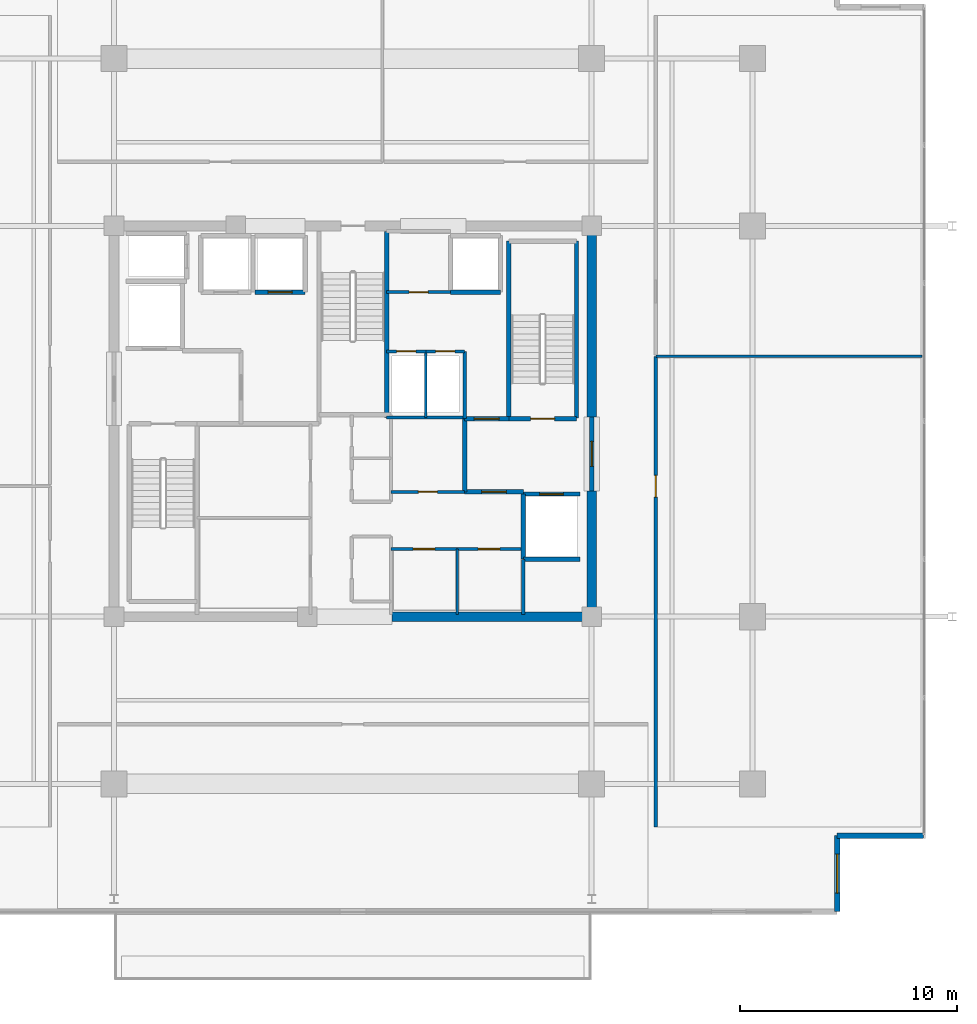
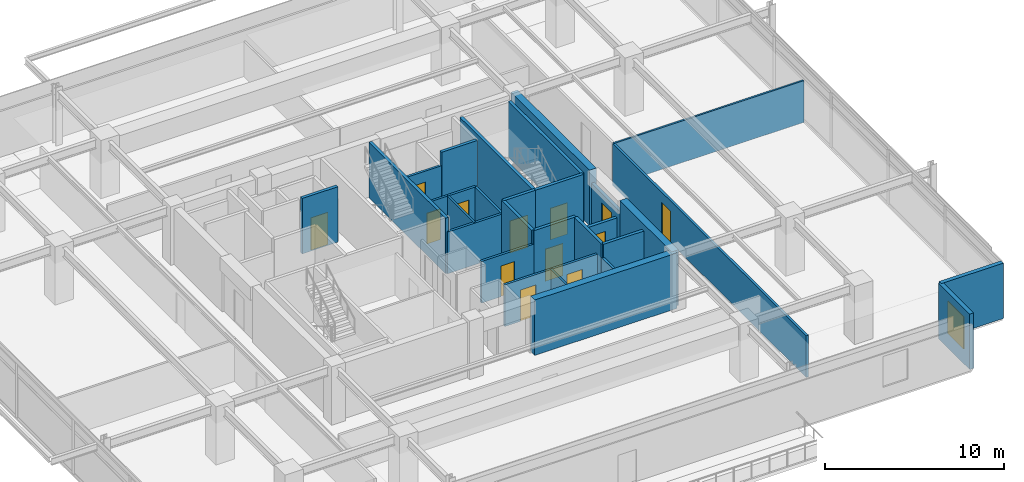
# One storey, part 16 of 23: 31 walls, 13 doors, 1 window, 14 openings.
"""IFC4 building model written with IfcOpenShell, lengths in metres."""

import ifcopenshell
import ifcopenshell.guid

model = None  # the IFC model being written
_history = None  # IfcOwnerHistory: only IFC2X3 demands one
_inside = {}  # id of a spatial element -> (the spatial element, [elements in it])
_under = {}  # id of a project, library or spatial element -> (it, [spatial elements below it])
_declared = {}  # id of a project -> (the project, [libraries it declares])
_typed = {}  # id of a type object -> (the type object, [elements of that type])
_made_of = {}  # id of a material, layer set ... -> (it, [elements and type objects made of it])


def new_model(schema):
    """Start an empty IFC model of exactly this schema.

    Asked for "IFC4X3", IfcOpenShell would pick the latest addendum, in which some entities
    have other attributes; the version numbers below select the first issue.
    IFC2X3 requires an IfcOwnerHistory on every rooted entity: one is made here for all.
    """
    global model, _history
    if schema == "IFC4X3":
        model = ifcopenshell.file(schema_version=(4, 3, 0, 0))
    else:
        model = ifcopenshell.file(schema=schema)
    _inside.clear()
    _under.clear()
    _declared.clear()
    _typed.clear()
    _made_of.clear()
    _history = None
    if model.schema == "IFC2X3":
        org = make("IfcOrganization", Name="unknown")
        user = make(
            "IfcPersonAndOrganization",
            ThePerson=make("IfcPerson", FamilyName="unknown"),
            TheOrganization=org,
        )
        app = make(
            "IfcApplication",
            ApplicationDeveloper=org,
            Version="unknown",
            ApplicationFullName="unknown",
            ApplicationIdentifier="unknown",
        )
        _history = make(
            "IfcOwnerHistory",
            OwningUser=user,
            OwningApplication=app,
            ChangeAction="ADDED",
            CreationDate=0,
        )
    return model


def make(cls, **values):
    """One entity of the class cls with the attributes given. An attribute that is None is left unset."""
    return model.create_entity(
        cls, **{name: value for name, value in values.items() if value is not None}
    )


def rooted(cls, **values):
    """An entity with a GlobalId (a new one), such as an element, a storey or a relation."""
    return make(cls, GlobalId=ifcopenshell.guid.new(), OwnerHistory=_history, **values)


def si_unit(unit_type, name, prefix=None):
    """IfcSIUnit, for example si_unit("LENGTHUNIT", "METRE", prefix="MILLI")."""
    return make("IfcSIUnit", UnitType=unit_type, Prefix=prefix, Name=name)


def assignment(units):
    """IfcUnitAssignment: the units of a project."""
    return None if units is None else make("IfcUnitAssignment", Units=units)


def point(xyz):
    """IfcCartesianPoint."""
    return None if xyz is None else make("IfcCartesianPoint", Coordinates=xyz)


def direction(xyz):
    """IfcDirection."""
    return None if xyz is None else make("IfcDirection", DirectionRatios=xyz)


def frame(location, z_axis=None, x_axis=None):
    """IfcAxis2Placement3D, a coordinate frame: its origin and axes. An axis left out is left unset."""
    return make(
        "IfcAxis2Placement3D",
        Location=point(location),
        Axis=direction(z_axis),
        RefDirection=direction(x_axis),
    )


def frame_2d(location, x_axis=None):
    """IfcAxis2Placement2D, a coordinate frame in the plane: its origin and x axis."""
    return make(
        "IfcAxis2Placement2D", Location=point(location), RefDirection=direction(x_axis)
    )


def origin():
    """The frame at (0, 0, 0) with its axes left unset."""
    return frame((0.0, 0.0, 0.0))


def place(relative_to, where):
    """IfcLocalPlacement: puts the frame where relative to a parent placement (None: the world)."""
    return make(
        "IfcLocalPlacement", PlacementRelTo=relative_to, RelativePlacement=where
    )


def context(
    kind, dimensions, precision=None, world=None, true_north=None, identifier=None
):
    """IfcGeometricRepresentationContext, for example the 3D "Model" context."""
    return make(
        "IfcGeometricRepresentationContext",
        ContextIdentifier=identifier,
        ContextType=kind,
        CoordinateSpaceDimension=dimensions,
        Precision=precision,
        WorldCoordinateSystem=world,
        TrueNorth=true_north,
    )


def subcontext(parent, identifier, kind, view, scale=None):
    """IfcGeometricRepresentationSubContext, for example "Body" below "Model"."""
    return make(
        "IfcGeometricRepresentationSubContext",
        ContextIdentifier=identifier,
        ContextType=kind,
        ParentContext=parent,
        TargetScale=scale,
        TargetView=view,
    )


def project(units=None, contexts=None):
    """IfcProject with its units and contexts."""
    return rooted(
        "IfcProject",
        Name="project",
        RepresentationContexts=contexts,
        UnitsInContext=assignment(units),
    )


def spatial(cls, under=None, at=None, **own):
    """A site, building, storey or space (cls), placed at a placement, below another one or the project."""
    s = rooted(cls, ObjectPlacement=at, **own)
    if under is not None:
        _under.setdefault(under.id(), (under, []))[1].append(s)
    return s


def profile(cls, at=None, kind="AREA", **sizes):
    """A parametric profile (cls). Its sizes go by their IFC names, for example OverallWidth=200.0."""
    return make(cls, ProfileType=kind, Position=at, **sizes)


def rectangle(**sizes):
    """IfcRectangleProfileDef."""
    return profile("IfcRectangleProfileDef", **sizes)


def extrude(swept, where, along, depth):
    """IfcExtrudedAreaSolid: the profile swept, set in the frame where, extruded along a direction by depth."""
    return make(
        "IfcExtrudedAreaSolid",
        SweptArea=swept,
        Position=where,
        ExtrudedDirection=direction(along),
        Depth=depth,
    )


def shape(context_of_items, identifier, shape_type, items):
    """IfcShapeRepresentation: the items that make up one representation, for example the "Body"."""
    return make(
        "IfcShapeRepresentation",
        ContextOfItems=context_of_items,
        RepresentationIdentifier=identifier,
        RepresentationType=shape_type,
        Items=items,
    )


def material(Name=None, Category=None):
    """IfcMaterial."""
    return make("IfcMaterial", Name=Name, Category=Category)


def layer(
    of_material, thickness, ventilated=None, Name=None, Category=None, Priority=None
):
    """IfcMaterialLayer: one layer of a wall or slab, of a material (None: an air gap)."""
    return make(
        "IfcMaterialLayer",
        Material=of_material,
        LayerThickness=thickness,
        IsVentilated=ventilated,
        Name=Name,
        Category=Category,
        Priority=Priority,
    )


def layer_set(layers, Name=None):
    """IfcMaterialLayerSet."""
    return make("IfcMaterialLayerSet", MaterialLayers=layers, LayerSetName=Name)


def made_of(thing, what):
    """Note that an element or type object is made of a material, layer set ...; save() writes the relation."""
    if what is not None:
        _made_of.setdefault(what.id(), (what, []))[1].append(thing)
    return thing


def type_object(cls, material=None, **own):
    """A type object (cls), such as IfcWallType, which elements share."""
    return made_of(rooted(cls, **own), material)


def element(
    cls,
    number,
    at=None,
    inside=None,
    cuts=None,
    type_object=None,
    material=None,
    context=None,
    identifier="Body",
    shape_type=None,
    held_by="IfcProductDefinitionShape",
    body=None,
    shapes=None,
    **own,
):
    """One element of the class cls, such as IfcWall. Its Tag is "e" and its number.

    at: its placement. inside: the storey or other place that contains it. cuts: it is an
    opening in that element (IfcRelVoidsElement). A single representation is given by context,
    identifier, shape_type and body (its items); several are given by shapes. held_by: the class
    of the entity that holds the representations. save() writes the other relations.
    """
    e = rooted(cls, Tag="e%d" % number, ObjectPlacement=at, **own)
    if body is not None:
        shapes = [shape(context, identifier, shape_type, body)]
    if shapes is not None:
        e.Representation = make(held_by, Representations=shapes)
    if inside is not None:
        _inside.setdefault(inside.id(), (inside, []))[1].append(e)
    if cuts is not None:
        rooted(
            "IfcRelVoidsElement", RelatingBuildingElement=cuts, RelatedOpeningElement=e
        )
    if type_object is not None:
        _typed.setdefault(type_object.id(), (type_object, []))[1].append(e)
    return made_of(e, material)


def fill(opening, filler):
    """IfcRelFillsElement: the door or window that sits in an opening."""
    return rooted(
        "IfcRelFillsElement",
        RelatingOpeningElement=opening,
        RelatedBuildingElement=filler,
    )


def aggregate(whole, parts):
    """IfcRelAggregates: a whole, such as a stair, and the parts it consists of."""
    return rooted("IfcRelAggregates", RelatingObject=whole, RelatedObjects=parts)


def save(model, path):
    """Write the relations noted so far, then the file.

    IfcRelAggregates (storeys below a building ...), IfcRelContainedInSpatialStructure (elements
    in a storey), IfcRelDefinesByType, IfcRelAssociatesMaterial and IfcRelDeclares: one each for
    every whole, place, type object, material and project.
    """
    for whole, parts in _under.values():
        aggregate(whole, parts)
    for where, things in _inside.values():
        rooted(
            "IfcRelContainedInSpatialStructure",
            RelatedElements=things,
            RelatingStructure=where,
        )
    for kind, things in _typed.values():
        rooted("IfcRelDefinesByType", RelatedObjects=things, RelatingType=kind)
    for what, things in _made_of.values():
        rooted("IfcRelAssociatesMaterial", RelatedObjects=things, RelatingMaterial=what)
    for by, libraries in _declared.values():
        rooted("IfcRelDeclares", RelatingContext=by, RelatedDefinitions=libraries)
    model.write(path)


model = new_model("IFC4")

# Units and contexts
model_context = context("Model", 3, precision=1e-05, world=origin(), true_north=direction((0.0, 1.0)))
body_context = subcontext(model_context, "Body", "Model", "MODEL_VIEW")
ifc_project = project(units=[si_unit("LENGTHUNIT", "METRE"), si_unit("AREAUNIT", "SQUARE_METRE"), si_unit("VOLUMEUNIT", "CUBIC_METRE"), si_unit("PLANEANGLEUNIT", "RADIAN"), si_unit("MASSUNIT", "GRAM", prefix="KILO")], contexts=[model_context])

# Site, building, storey
site_placement = place(None, origin())
site = spatial("IfcSite", under=ifc_project, at=site_placement, CompositionType="ELEMENT")
building_placement = place(site_placement, origin())
building = spatial("IfcBuilding", under=site, at=building_placement, Name="Kovane Verandah Tower", CompositionType="ELEMENT")
storey_placement = place(building_placement, frame((0.0, 0.0, 243.199951171875)))
storey = spatial("IfcBuildingStorey", under=building, at=storey_placement, Name="L56", CompositionType="ELEMENT", Elevation=243.199951171875)

# Walls
ifc_material_1 = material(Name="Fire-Rated Gypsum Stud Partition", Category="gypsum")
ifc_layer_1 = layer(ifc_material_1, 0.14990234375)
ifc_layer_set_1 = layer_set([ifc_layer_1], Name="Fire-Rated Gypsum Stud Partition")
wall_type_1 = type_object("IfcWallType", Name="WL-COR-150", PredefinedType="PARTITIONING", material=ifc_layer_set_1)
wall_1_placement = place(storey_placement, frame((41.56005859375, 27.679931640625, 0.0), z_axis=(0.0, 0.0, 1.0), x_axis=(1.0, 0.0, 0.0)))
element("IfcWall", 1, at=wall_1_placement, inside=storey, type_object=wall_type_1, Name="L56 East Core Service Riser South Wall", PredefinedType="PARTITIONING", context=body_context, shape_type="SweptSolid", body=[
    extrude(rectangle(XDim=3.58984375, YDim=0.14990234375, at=frame_2d((1.794921875, 0.0))), origin(), (0.0, 0.0, 1.0), 2.85009765625),
])
wall_2_placement = place(storey_placement, frame((47.85009765625, 18.60009765625, 0.0), z_axis=(0.0, 0.0, 1.0), x_axis=(0.0, 1.0, 0.0)))
element("IfcWall", 2, at=wall_2_placement, inside=storey, type_object=wall_type_1, Name="L56 East Core Support East Wall", PredefinedType="PARTITIONING", context=body_context, shape_type="SweptSolid", body=[
    extrude(rectangle(XDim=2.539794921875, YDim=0.14990234375, at=frame_2d((1.27001953125, 0.0))), origin(), (0.0, 0.0, 1.0), 2.85009765625),
])

# Wall, opening, door
wall_3_placement = place(storey_placement, frame((41.760009765625, 21.6201171875, 0.0), z_axis=(0.0, 0.0, 1.0), x_axis=(1.0, 0.0, 0.0)))
wall_3 = element("IfcWall", 3, at=wall_3_placement, inside=storey, type_object=wall_type_1, Name="L56 AV Control Room Partition", PredefinedType="PARTITIONING", context=body_context, shape_type="SweptSolid", body=[
    extrude(rectangle(XDim=3.0400390625, YDim=0.14990234375, at=frame_2d((1.52001953125, 0.0))), origin(), (0.0, 0.0, 1.0), 2.85009765625),
])
opening_1_placement = place(wall_3_placement, frame((1.02001953125, 0.0, 0.0)))
opening_1 = element("IfcOpeningElement", 4, at=opening_1_placement, cuts=wall_3, Name="Opening DR-L56-015", PredefinedType="OPENING", context=body_context, shape_type="SweptSolid", body=[
    extrude(rectangle(XDim=1.0, YDim=2.14990234375, at=frame_2d((0.5, 1.074951171875))), frame((0.0, 0.074951171875, 0.0), z_axis=(0.0, -1.0, 0.0), x_axis=(1.0, 0.0, 0.0)), (0.0, 0.0, 1.0), 0.14990234375),
])
ifc_material_2 = material(Name="FSC Spotted-Gum Timber Fire-Rated Office Door", Category="wood")
door_type_1 = type_object("IfcDoorType", Name="DR-OFF-1000", OperationType="SINGLE_SWING_LEFT", PredefinedType="DOOR", material=ifc_material_2)
door_1_placement = place(opening_1_placement, origin())
door_1 = element("IfcDoor", 5, at=door_1_placement, inside=storey, type_object=door_type_1, Name="L56 AV Control Room Door", OperationType="SINGLE_SWING_RIGHT", OverallHeight=2.14990234375, OverallWidth=1.0, PredefinedType="DOOR", context=body_context, shape_type="SweptSolid", body=[
    extrude(rectangle(XDim=1.0, YDim=2.14990234375, at=frame_2d((0.5, 1.074951171875))), frame((0.0, 0.02490234375, 0.0), z_axis=(0.0, -1.0, 0.0), x_axis=(1.0, 0.0, 0.0)), (0.0, 0.0, 1.0), 0.050048828125),
])
fill(opening_1, door_1)

wall_4_placement = place(storey_placement, frame((44.800048828125, 21.6201171875, 0.0), z_axis=(0.0, 0.0, 1.0), x_axis=(1.0, 0.0, 0.0)))
wall_4 = element("IfcWall", 6, at=wall_4_placement, inside=storey, type_object=wall_type_1, Name="L56 East IT Server Room Partition", PredefinedType="PARTITIONING", context=body_context, shape_type="SweptSolid", body=[
    extrude(rectangle(XDim=2.93994140625, YDim=0.14990234375, at=frame_2d((1.469970703125, 0.0))), origin(), (0.0, 0.0, 1.0), 2.85009765625),
])
opening_2_placement = place(wall_4_placement, frame((0.969970703125, 0.0, 0.0)))
opening_2 = element("IfcOpeningElement", 7, at=opening_2_placement, cuts=wall_4, Name="Opening DR-L56-016", PredefinedType="OPENING", context=body_context, shape_type="SweptSolid", body=[
    extrude(rectangle(XDim=1.0, YDim=2.14990234375, at=frame_2d((0.5, 1.074951171875))), frame((0.0, 0.074951171875, 0.0), z_axis=(0.0, -1.0, 0.0), x_axis=(1.0, 0.0, 0.0)), (0.0, 0.0, 1.0), 0.14990234375),
])
door_2_placement = place(opening_2_placement, origin())
door_2 = element("IfcDoor", 8, at=door_2_placement, inside=storey, type_object=door_type_1, Name="L56 East IT Server Room Door", OperationType="SINGLE_SWING_LEFT", OverallHeight=2.14990234375, OverallWidth=1.0, PredefinedType="DOOR", context=body_context, shape_type="SweptSolid", body=[
    extrude(rectangle(XDim=1.0, YDim=2.14990234375, at=frame_2d((0.5, 1.074951171875))), frame((0.0, 0.02490234375, 0.0), z_axis=(0.0, -1.0, 0.0), x_axis=(1.0, 0.0, 0.0)), (0.0, 0.0, 1.0), 0.050048828125),
])
fill(opening_2, door_2)

wall_5_placement = place(storey_placement, frame((41.760009765625, 24.25, 0.0), z_axis=(0.0, 0.0, 1.0), x_axis=(1.0, 0.0, 0.0)))
wall_5 = element("IfcWall", 9, at=wall_5_placement, inside=storey, type_object=wall_type_1, Name="L56 Cleaner Store Partition", PredefinedType="PARTITIONING", context=body_context, shape_type="SweptSolid", body=[
    extrude(rectangle(XDim=3.389892578125, YDim=0.14990234375, at=frame_2d((1.69482421875, 0.0))), origin(), (0.0, 0.0, 1.0), 2.85009765625),
])
opening_3_placement = place(wall_5_placement, frame((1.2548828125, 0.0, 0.0)))
opening_3 = element("IfcOpeningElement", 10, at=opening_3_placement, cuts=wall_5, Name="Opening DR-L56-017", PredefinedType="OPENING", context=body_context, shape_type="SweptSolid", body=[
    extrude(rectangle(XDim=0.8798828125, YDim=2.10009765625, at=frame_2d((0.43994140625, 1.050048828125))), frame((0.0, 0.074951171875, 0.0), z_axis=(0.0, -1.0, 0.0), x_axis=(1.0, 0.0, 0.0)), (0.0, 0.0, 1.0), 0.14990234375),
])
ifc_material_3 = material(Name="Fire-Rated Steel Riser Access Door", Category="steel")
door_type_2 = type_object("IfcDoorType", Name="DR-RISER-880", OperationType="SINGLE_SWING_LEFT", PredefinedType="DOOR", material=ifc_material_3)
door_3_placement = place(opening_3_placement, origin())
door_3 = element("IfcDoor", 11, at=door_3_placement, inside=storey, type_object=door_type_2, Name="L56 Cleaner Store Door", OperationType="SINGLE_SWING_RIGHT", OverallHeight=2.10009765625, OverallWidth=0.8798828125, PredefinedType="DOOR", context=body_context, shape_type="SweptSolid", body=[
    extrude(rectangle(XDim=0.8798828125, YDim=2.10009765625, at=frame_2d((0.43994140625, 1.050048828125))), frame((0.0, 0.02490234375, 0.0), z_axis=(0.0, -1.0, 0.0), x_axis=(1.0, 0.0, 0.0)), (0.0, 0.0, 1.0), 0.050048828125),
])
fill(opening_3, door_3)

# Wall
wall_6_placement = place(storey_placement, frame((45.14990234375, 27.6201171875, 0.0), z_axis=(0.0, 0.0, 1.0), x_axis=(0.0, 1.0, 0.0)))
element("IfcWall", 12, at=wall_6_placement, inside=storey, type_object=wall_type_1, Name="L56 East Core Service Riser East Wall", PredefinedType="PARTITIONING", context=body_context, shape_type="SweptSolid", body=[
    extrude(rectangle(XDim=3.099853515625, YDim=0.14990234375, at=frame_2d((1.5498046875, 0.0))), origin(), (0.0, 0.0, 1.0), 2.85009765625),
])

# Wall, opening, door
wall_7_placement = place(storey_placement, frame((41.56005859375, 30.719970703125, 0.0), z_axis=(0.0, 0.0, 1.0), x_axis=(1.0, 0.0, 0.0)))
wall_7 = element("IfcWall", 13, at=wall_7_placement, inside=storey, type_object=wall_type_1, Name="L56 Chilled Water Riser Room Partition", PredefinedType="PARTITIONING", context=body_context, shape_type="SweptSolid", body=[
    extrude(rectangle(XDim=1.800048828125, YDim=0.14990234375, at=frame_2d((0.89990234375, 0.0))), origin(), (0.0, 0.0, 1.0), 2.85009765625),
])
opening_4_placement = place(wall_7_placement, frame((0.4599609375, 0.0, 0.0)))
opening_4 = element("IfcOpeningElement", 14, at=opening_4_placement, cuts=wall_7, Name="Opening DR-L56-019", PredefinedType="OPENING", context=body_context, shape_type="SweptSolid", body=[
    extrude(rectangle(XDim=0.8798828125, YDim=2.10009765625, at=frame_2d((0.43994140625, 1.050048828125))), frame((0.0, 0.074951171875, 0.0), z_axis=(0.0, -1.0, 0.0), x_axis=(1.0, 0.0, 0.0)), (0.0, 0.0, 1.0), 0.14990234375),
])
door_4_placement = place(opening_4_placement, origin())
door_4 = element("IfcDoor", 15, at=door_4_placement, inside=storey, type_object=door_type_2, Name="L56 Chilled Water Riser Room Door", OperationType="SINGLE_SWING_LEFT", OverallHeight=2.10009765625, OverallWidth=0.8798828125, PredefinedType="DOOR", context=body_context, shape_type="SweptSolid", body=[
    extrude(rectangle(XDim=0.8798828125, YDim=2.10009765625, at=frame_2d((0.43994140625, 1.050048828125))), frame((0.0, 0.02490234375, 0.0), z_axis=(0.0, -1.0, 0.0), x_axis=(1.0, 0.0, 0.0)), (0.0, 0.0, 1.0), 0.050048828125),
])
fill(opening_4, door_4)

wall_8_placement = place(storey_placement, frame((43.360107421875, 30.719970703125, 0.0), z_axis=(0.0, 0.0, 1.0), x_axis=(1.0, 0.0, 0.0)))
wall_8 = element("IfcWall", 16, at=wall_8_placement, inside=storey, type_object=wall_type_1, Name="L56 Smoke Extract Duct Room Partition", PredefinedType="PARTITIONING", context=body_context, shape_type="SweptSolid", body=[
    extrude(rectangle(XDim=1.789794921875, YDim=0.14990234375, at=frame_2d((0.89501953125, 0.0))), origin(), (0.0, 0.0, 1.0), 2.85009765625),
])
opening_5_placement = place(wall_8_placement, frame((0.455078125, 0.0, 0.0)))
opening_5 = element("IfcOpeningElement", 17, at=opening_5_placement, cuts=wall_8, Name="Opening DR-L56-020", PredefinedType="OPENING", context=body_context, shape_type="SweptSolid", body=[
    extrude(rectangle(XDim=0.8798828125, YDim=2.10009765625, at=frame_2d((0.43994140625, 1.050048828125))), frame((0.0, 0.074951171875, 0.0), z_axis=(0.0, -1.0, 0.0), x_axis=(1.0, 0.0, 0.0)), (0.0, 0.0, 1.0), 0.14990234375),
])
door_5_placement = place(opening_5_placement, origin())
door_5 = element("IfcDoor", 18, at=door_5_placement, inside=storey, type_object=door_type_2, Name="L56 Smoke Extract Duct Room Door", OperationType="SINGLE_SWING_RIGHT", OverallHeight=2.10009765625, OverallWidth=0.8798828125, PredefinedType="DOOR", context=body_context, shape_type="SweptSolid", body=[
    extrude(rectangle(XDim=0.8798828125, YDim=2.10009765625, at=frame_2d((0.43994140625, 1.050048828125))), frame((0.0, 0.02490234375, 0.0), z_axis=(0.0, -1.0, 0.0), x_axis=(1.0, 0.0, 0.0)), (0.0, 0.0, 1.0), 0.050048828125),
])
fill(opening_5, door_5)

wall_9_placement = place(storey_placement, frame((41.56005859375, 33.449951171875, 0.0), z_axis=(0.0, 0.0, 1.0), x_axis=(1.0, 0.0, 0.0)))
wall_9 = element("IfcWall", 19, at=wall_9_placement, inside=storey, type_object=wall_type_1, Name="L56 Sky Telecom Riser Room Partition", PredefinedType="PARTITIONING", context=body_context, shape_type="SweptSolid", body=[
    extrude(rectangle(XDim=2.93994140625, YDim=0.14990234375, at=frame_2d((1.469970703125, 0.0))), origin(), (0.0, 0.0, 1.0), 2.85009765625),
])
opening_6_placement = place(wall_9_placement, frame((1.030029296875, 0.0, 0.0)))
opening_6 = element("IfcOpeningElement", 20, at=opening_6_placement, cuts=wall_9, Name="Opening DR-L56-018", PredefinedType="OPENING", context=body_context, shape_type="SweptSolid", body=[
    extrude(rectangle(XDim=0.8798828125, YDim=2.10009765625, at=frame_2d((0.43994140625, 1.050048828125))), frame((0.0, 0.074951171875, 0.0), z_axis=(0.0, -1.0, 0.0), x_axis=(1.0, 0.0, 0.0)), (0.0, 0.0, 1.0), 0.14990234375),
])
door_6_placement = place(opening_6_placement, origin())
door_6 = element("IfcDoor", 21, at=door_6_placement, inside=storey, type_object=door_type_2, Name="L56 Sky Telecom Riser Room Door", OperationType="SINGLE_SWING_LEFT", OverallHeight=2.10009765625, OverallWidth=0.8798828125, PredefinedType="DOOR", context=body_context, shape_type="SweptSolid", body=[
    extrude(rectangle(XDim=0.8798828125, YDim=2.10009765625, at=frame_2d((0.43994140625, 1.050048828125))), frame((0.0, 0.02490234375, 0.0), z_axis=(0.0, -1.0, 0.0), x_axis=(1.0, 0.0, 0.0)), (0.0, 0.0, 1.0), 0.050048828125),
])
fill(opening_6, door_6)

wall_10_placement = place(storey_placement, frame((53.949951171875, 8.820068359375, 0.0), z_axis=(0.0, 0.0, 1.0), x_axis=(0.0, 1.0, 0.0)))
wall_10 = element("IfcWall", 22, at=wall_10_placement, inside=storey, type_object=wall_type_1, Name="L56 Open Plan Office E1 Corridor Partition", PredefinedType="PARTITIONING", context=body_context, shape_type="SweptSolid", body=[
    extrude(rectangle(XDim=21.668701171875, YDim=0.14990234375, at=frame_2d((10.83447265625, 0.0))), origin(), (0.0, 0.0, 1.0), 2.85009765625),
])
opening_7_placement = place(wall_10_placement, frame((15.189453125, 0.0, 0.0)))
opening_7 = element("IfcOpeningElement", 23, at=opening_7_placement, cuts=wall_10, Name="Opening DR-L56-011", PredefinedType="OPENING", context=body_context, shape_type="SweptSolid", body=[
    extrude(rectangle(XDim=1.0, YDim=2.14990234375, at=frame_2d((0.5, 1.074951171875))), frame((0.0, 0.074951171875, 0.0), z_axis=(0.0, -1.0, 0.0), x_axis=(1.0, 0.0, 0.0)), (0.0, 0.0, 1.0), 0.14990234375),
])
door_7_placement = place(opening_7_placement, origin())
door_7 = element("IfcDoor", 24, at=door_7_placement, inside=storey, type_object=door_type_1, Name="L56 Open Plan Office E1 Entrance Door", OperationType="SINGLE_SWING_LEFT", OverallHeight=2.14990234375, OverallWidth=1.0, PredefinedType="DOOR", context=body_context, shape_type="SweptSolid", body=[
    extrude(rectangle(XDim=1.0, YDim=2.14990234375, at=frame_2d((0.5, 1.074951171875))), frame((0.0, 0.02490234375, 0.0), z_axis=(0.0, -1.0, 0.0), x_axis=(1.0, 0.0, 0.0)), (0.0, 0.0, 1.0), 0.050048828125),
])
fill(opening_7, door_7)

# Walls
ifc_material_4 = material(Name="Concrete C60/75", Category="concrete")
ifc_layer_2 = layer(ifc_material_4, 0.449951171875)
ifc_layer_set_2 = layer_set([ifc_layer_2], Name="Concrete C60/75")
wall_type_2 = type_object("IfcWallType", Name="WL-CORE-450", PredefinedType="SHEAR", material=ifc_layer_set_2)
wall_11_placement = place(storey_placement, frame((41.800048828125, 18.5, 0.0), z_axis=(0.0, 0.0, 1.0), x_axis=(1.0, 0.0, 0.0)))
element("IfcWall", 25, at=wall_11_placement, inside=storey, type_object=wall_type_2, Name="L56 Core Shear Wall CS-2", PredefinedType="SHEAR", context=body_context, shape_type="SweptSolid", body=[
    extrude(rectangle(XDim=9.199951171875, YDim=0.449951171875, at=frame_2d((4.60009765625, 0.0))), origin(), (0.0, 0.0, 1.0), 3.78515625),
])
wall_12_placement = place(storey_placement, frame((51.0, 18.5, 0.0), z_axis=(0.0, 0.0, 1.0), x_axis=(0.0, 1.0, 0.0)))
element("IfcWall", 26, at=wall_12_placement, inside=storey, type_object=wall_type_2, Name="L56 Core Shear Wall CE-1", PredefinedType="SHEAR", context=body_context, shape_type="SweptSolid", body=[
    extrude(rectangle(XDim=5.800048828125, YDim=0.449951171875, at=frame_2d((2.89990234375, 0.0))), origin(), (0.0, 0.0, 1.0), 3.78515625),
])
wall_13_placement = place(storey_placement, frame((51.0, 27.699951171875, 0.0), z_axis=(0.0, 0.0, 1.0), x_axis=(0.0, 1.0, 0.0)))
element("IfcWall", 27, at=wall_13_placement, inside=storey, type_object=wall_type_2, Name="L56 Core Shear Wall CE-2", PredefinedType="SHEAR", context=body_context, shape_type="SweptSolid", body=[
    extrude(rectangle(XDim=8.800048828125, YDim=0.449951171875, at=frame_2d((4.39990234375, 0.0))), origin(), (0.0, 0.0, 1.0), 3.78515625),
])
ifc_material_5 = material(Name="Concrete C45/55 Fire Wall", Category="concrete")
ifc_layer_3 = layer(ifc_material_5, 0.199951171875)
ifc_layer_set_3 = layer_set([ifc_layer_3], Name="Concrete C45/55 Fire Wall")
wall_type_3 = type_object("IfcWallType", Name="WL-FFL-200", PredefinedType="PARTITIONING", material=ifc_layer_set_3)
wall_14_placement = place(storey_placement, frame((45.14990234375, 24.25, 0.0), z_axis=(0.0, 0.0, 1.0), x_axis=(0.0, 1.0, 0.0)))
element("IfcWall", 28, at=wall_14_placement, inside=storey, type_object=wall_type_3, Name="L56 East Firefighting Lobby West Fire Wall", PredefinedType="PARTITIONING", context=body_context, shape_type="SweptSolid", body=[
    extrude(rectangle(XDim=3.3701171875, YDim=0.199951171875, at=frame_2d((1.68505859375, 0.0))), origin(), (0.0, 0.0, 1.0), 3.78515625),
])

# Wall, opening, door
wall_15_placement = place(storey_placement, frame((45.14990234375, 24.25, 0.0), z_axis=(0.0, 0.0, 1.0), x_axis=(1.0, 0.0, 0.0)))
wall_15 = element("IfcWall", 29, at=wall_15_placement, inside=storey, type_object=wall_type_3, Name="W-L56-FFLE-S", PredefinedType="PARTITIONING", context=body_context, shape_type="SweptSolid", body=[
    extrude(rectangle(XDim=2.7001953125, YDim=0.199951171875, at=frame_2d((1.35009765625, 0.0))), origin(), (0.0, 0.0, 1.0), 3.78515625),
])
opening_8_placement = place(wall_15_placement, frame((0.77490234375, 0.0, 0.0)))
opening_8 = element("IfcOpeningElement", 30, at=opening_8_placement, cuts=wall_15, Name="Opening DR-L56-003", PredefinedType="OPENING", context=body_context, shape_type="SweptSolid", body=[
    extrude(rectangle(XDim=1.14990234375, YDim=2.199951171875, at=frame_2d((0.574951171875, 1.10009765625))), frame((0.0, 0.10009765625, 0.0), z_axis=(0.0, -1.0, 0.0), x_axis=(1.0, 0.0, 0.0)), (0.0, 0.0, 1.0), 0.199951171875),
])
ifc_material_6 = material(Name="Smoke-Sealed Firefighting Lobby Door", Category="steel")
door_type_3 = type_object("IfcDoorType", Name="DR-FFL-1150", OperationType="SINGLE_SWING_LEFT", PredefinedType="DOOR", material=ifc_material_6)
door_8_placement = place(opening_8_placement, origin())
door_8 = element("IfcDoor", 31, at=door_8_placement, inside=storey, type_object=door_type_3, Name="L56 East Firefighting Lobby Inner Door", OperationType="SINGLE_SWING_RIGHT", OverallHeight=2.199951171875, OverallWidth=1.14990234375, PredefinedType="DOOR", context=body_context, shape_type="SweptSolid", body=[
    extrude(rectangle(XDim=1.14990234375, YDim=2.199951171875, at=frame_2d((0.574951171875, 1.10009765625))), frame((0.0, 0.02490234375, 0.0), z_axis=(0.0, -1.0, 0.0), x_axis=(1.0, 0.0, 0.0)), (0.0, 0.0, 1.0), 0.050048828125),
])
fill(opening_8, door_8)

wall_16_placement = place(storey_placement, frame((45.14990234375, 27.6201171875, 0.0), z_axis=(0.0, 0.0, 1.0), x_axis=(1.0, 0.0, 0.0)))
wall_16 = element("IfcWall", 32, at=wall_16_placement, inside=storey, type_object=wall_type_3, Name="W-L56-FFLE-N", PredefinedType="PARTITIONING", context=body_context, shape_type="SweptSolid", body=[
    extrude(rectangle(XDim=2.030029296875, YDim=0.199951171875, at=frame_2d((1.01513671875, 0.0))), origin(), (0.0, 0.0, 1.0), 3.78515625),
])
opening_9_placement = place(wall_16_placement, frame((0.43994140625, 0.0, 0.0)))
opening_9 = element("IfcOpeningElement", 33, at=opening_9_placement, cuts=wall_16, Name="Opening DR-L56-004", PredefinedType="OPENING", context=body_context, shape_type="SweptSolid", body=[
    extrude(rectangle(XDim=1.14990234375, YDim=2.199951171875, at=frame_2d((0.574951171875, 1.10009765625))), frame((0.0, 0.10009765625, 0.0), z_axis=(0.0, -1.0, 0.0), x_axis=(1.0, 0.0, 0.0)), (0.0, 0.0, 1.0), 0.199951171875),
])
door_9_placement = place(opening_9_placement, origin())
door_9 = element("IfcDoor", 34, at=door_9_placement, inside=storey, type_object=door_type_3, Name="L56 East Firefighting Lobby Shuttle Link Door", OperationType="SINGLE_SWING_LEFT", OverallHeight=2.199951171875, OverallWidth=1.14990234375, PredefinedType="DOOR", context=body_context, shape_type="SweptSolid", body=[
    extrude(rectangle(XDim=1.14990234375, YDim=2.199951171875, at=frame_2d((0.574951171875, 1.10009765625))), frame((0.0, 0.02490234375, 0.0), z_axis=(0.0, -1.0, 0.0), x_axis=(1.0, 0.0, 0.0)), (0.0, 0.0, 1.0), 0.050048828125),
])
fill(opening_9, door_9)

wall_17_placement = place(storey_placement, frame((51.0, 24.300048828125, 0.0), z_axis=(0.0, 0.0, 1.0), x_axis=(0.0, 1.0, 0.0)))
wall_17 = element("IfcWall", 35, at=wall_17_placement, inside=storey, type_object=wall_type_3, Name="W-L56-FFLE-OUT", PredefinedType="PARTITIONING", context=body_context, shape_type="SweptSolid", body=[
    extrude(rectangle(XDim=3.39990234375, YDim=0.199951171875, at=frame_2d((1.699951171875, 0.0))), origin(), (0.0, 0.0, 1.0), 2.864990234375),
])
opening_10_placement = place(wall_17_placement, frame((1.125, 0.0, 0.0)))
opening_10 = element("IfcOpeningElement", 36, at=opening_10_placement, cuts=wall_17, Name="Opening DR-L56-005", PredefinedType="OPENING", context=body_context, shape_type="SweptSolid", body=[
    extrude(rectangle(XDim=1.14990234375, YDim=2.199951171875, at=frame_2d((0.574951171875, 1.10009765625))), frame((0.0, 0.10009765625, 0.0), z_axis=(0.0, -1.0, 0.0), x_axis=(1.0, 0.0, 0.0)), (0.0, 0.0, 1.0), 0.199951171875),
])
door_10_placement = place(opening_10_placement, origin())
door_10 = element("IfcDoor", 37, at=door_10_placement, inside=storey, type_object=door_type_3, Name="L56 East Firefighting Lobby Corridor Door", OperationType="SINGLE_SWING_LEFT", OverallHeight=2.199951171875, OverallWidth=1.14990234375, PredefinedType="DOOR", context=body_context, shape_type="SweptSolid", body=[
    extrude(rectangle(XDim=1.14990234375, YDim=2.199951171875, at=frame_2d((0.574951171875, 1.10009765625))), frame((0.0, 0.02490234375, 0.0), z_axis=(0.0, -1.0, 0.0), x_axis=(1.0, 0.0, 0.0)), (0.0, 0.0, 1.0), 0.050048828125),
])
fill(opening_10, door_10)

# Wall
ifc_material_7 = material(Name="Concrete C45/55 Lift Shaft Wall", Category="concrete")
ifc_layer_4 = layer(ifc_material_7, 0.199951171875)
ifc_layer_set_4 = layer_set([ifc_layer_4], Name="Concrete C45/55 Lift Shaft Wall")
wall_type_4 = type_object("IfcWallType", Name="WL-LIFT-200", PredefinedType="SOLIDWALL", material=ifc_layer_set_4)
wall_18_placement = place(storey_placement, frame((47.85009765625, 21.14990234375, 0.0), z_axis=(0.0, 0.0, 1.0), x_axis=(1.0, 0.0, 0.0)))
element("IfcWall", 38, at=wall_18_placement, inside=storey, type_object=wall_type_4, Name="L56 Lift FL-02 S Shaft Wall", PredefinedType="SOLIDWALL", context=body_context, shape_type="SweptSolid", body=[
    extrude(rectangle(XDim=2.599853515625, YDim=0.199951171875, at=frame_2d((1.2998046875, 0.0))), origin(), (0.0, 0.0, 1.0), 3.78515625),
])

# Wall, opening, door
wall_19_placement = place(storey_placement, frame((50.449951171875, 24.14990234375, 0.0), z_axis=(0.0, 0.0, 1.0), x_axis=(-1.0, 0.0, 0.0)))
wall_19 = element("IfcWall", 39, at=wall_19_placement, inside=storey, type_object=wall_type_4, Name="L56 Lift FL-02 N Shaft Wall", PredefinedType="SOLIDWALL", context=body_context, shape_type="SweptSolid", body=[
    extrude(rectangle(XDim=2.599853515625, YDim=0.199951171875, at=frame_2d((1.2998046875, 0.0))), origin(), (0.0, 0.0, 1.0), 2.864990234375),
])
opening_11_placement = place(wall_19_placement, frame((0.75, 0.0, 0.0)))
opening_11 = element("IfcOpeningElement", 40, at=opening_11_placement, cuts=wall_19, Name="Opening LD-L56-002", PredefinedType="OPENING", context=body_context, shape_type="SweptSolid", body=[
    extrude(rectangle(XDim=1.10009765625, YDim=2.199951171875, at=frame_2d((0.550048828125, 1.10009765625))), frame((0.0, 0.10009765625, 0.0), z_axis=(0.0, -1.0, 0.0), x_axis=(1.0, 0.0, 0.0)), (0.0, 0.0, 1.0), 0.199951171875),
])
ifc_material_8 = material(Name="Brushed Stainless Steel Sliding Lift Landing Door", Category="steel")
door_type_4 = type_object("IfcDoorType", Name="DR-LIFT-1100", OperationType="SLIDING_TO_RIGHT", PredefinedType="DOOR", material=ifc_material_8)
door_11_placement = place(opening_11_placement, origin())
door_11 = element("IfcDoor", 41, at=door_11_placement, inside=storey, type_object=door_type_4, Name="L56 Lift FL-02 Sliding Landing Door", OperationType="SLIDING_TO_RIGHT", OverallHeight=2.199951171875, OverallWidth=1.10009765625, PredefinedType="DOOR", context=body_context, shape_type="SweptSolid", body=[
    extrude(rectangle(XDim=1.10009765625, YDim=2.199951171875, at=frame_2d((0.550048828125, 1.10009765625))), frame((0.0, 0.02490234375, 0.0), z_axis=(0.0, -1.0, 0.0), x_axis=(1.0, 0.0, 0.0)), (0.0, 0.0, 1.0), 0.050048828125),
])
fill(opening_11, door_11)

# Wall
wall_20_placement = place(storey_placement, frame((47.85009765625, 24.14990234375, 0.0), z_axis=(0.0, 0.0, 1.0), x_axis=(0.0, -1.0, 0.0)))
element("IfcWall", 42, at=wall_20_placement, inside=storey, type_object=wall_type_4, Name="L56 Lift FL-02 W Shaft Wall", PredefinedType="SOLIDWALL", context=body_context, shape_type="SweptSolid", body=[
    extrude(rectangle(XDim=3.0, YDim=0.199951171875, at=frame_2d((1.5, 0.0))), origin(), (0.0, 0.0, 1.0), 3.78515625),
])

# Wall, opening, door
wall_21_placement = place(storey_placement, frame((35.5, 33.449951171875, 0.0), z_axis=(0.0, 0.0, 1.0), x_axis=(1.0, 0.0, 0.0)))
wall_21 = element("IfcWall", 43, at=wall_21_placement, inside=storey, type_object=wall_type_4, Name="L56 Lift PL-H2 S Shaft Wall", PredefinedType="SOLIDWALL", context=body_context, shape_type="SweptSolid", body=[
    extrude(rectangle(XDim=2.300048828125, YDim=0.199951171875, at=frame_2d((1.14990234375, 0.0))), origin(), (0.0, 0.0, 1.0), 3.78515625),
])
opening_12_placement = place(wall_21_placement, frame((0.60009765625, 0.0, 0.0)))
opening_12 = element("IfcOpeningElement", 44, at=opening_12_placement, cuts=wall_21, Name="Opening LD-L56-005", PredefinedType="OPENING", context=body_context, shape_type="SweptSolid", body=[
    extrude(rectangle(XDim=1.10009765625, YDim=2.199951171875, at=frame_2d((0.550048828125, 1.10009765625))), frame((0.0, 0.10009765625, 0.0), z_axis=(0.0, -1.0, 0.0), x_axis=(1.0, 0.0, 0.0)), (0.0, 0.0, 1.0), 0.199951171875),
])
door_12_placement = place(opening_12_placement, origin())
door_12 = element("IfcDoor", 45, at=door_12_placement, inside=storey, type_object=door_type_4, Name="L56 Lift PL-H2 Sliding Landing Door", OperationType="SLIDING_TO_RIGHT", OverallHeight=2.199951171875, OverallWidth=1.10009765625, PredefinedType="DOOR", context=body_context, shape_type="SweptSolid", body=[
    extrude(rectangle(XDim=1.10009765625, YDim=2.199951171875, at=frame_2d((0.550048828125, 1.10009765625))), frame((0.0, 0.02490234375, 0.0), z_axis=(0.0, -1.0, 0.0), x_axis=(1.0, 0.0, 0.0)), (0.0, 0.0, 1.0), 0.050048828125),
])
fill(opening_12, door_12)

# Walls
wall_22_placement = place(storey_placement, frame((44.5, 33.449951171875, 0.0), z_axis=(0.0, 0.0, 1.0), x_axis=(1.0, 0.0, 0.0)))
element("IfcWall", 46, at=wall_22_placement, inside=storey, type_object=wall_type_4, Name="L56 Lift OL-01 S Shaft Wall", PredefinedType="SOLIDWALL", context=body_context, shape_type="SweptSolid", body=[
    extrude(rectangle(XDim=2.300048828125, YDim=0.199951171875, at=frame_2d((1.14990234375, 0.0))), origin(), (0.0, 0.0, 1.0), 3.78515625),
])
ifc_material_9 = material(Name="Acoustic Fire-Rated Gypsum Partition", Category="gypsum")
ifc_layer_5 = layer(ifc_material_9, 0.1201171875)
ifc_layer_set_5 = layer_set([ifc_layer_5], Name="Acoustic Fire-Rated Gypsum Partition")
wall_type_5 = type_object("IfcWallType", Name="WL-PART-120", PredefinedType="PARTITIONING", material=ifc_layer_set_5)
wall_23_placement = place(storey_placement, frame((44.800048828125, 18.60009765625, 0.0), z_axis=(0.0, 0.0, 1.0), x_axis=(0.0, 1.0, 0.0)))
element("IfcWall", 47, at=wall_23_placement, inside=storey, type_object=wall_type_5, Name="L56 East Core Support Dividing Partition", PredefinedType="PARTITIONING", context=body_context, shape_type="SweptSolid", body=[
    extrude(rectangle(XDim=3.02001953125, YDim=0.1201171875, at=frame_2d((1.510009765625, 0.0))), origin(), (0.0, 0.0, 1.0), 2.85009765625),
])
wall_24_placement = place(storey_placement, frame((43.360107421875, 27.679931640625, 0.0), z_axis=(0.0, 0.0, 1.0), x_axis=(0.0, 1.0, 0.0)))
element("IfcWall", 48, at=wall_24_placement, inside=storey, type_object=wall_type_5, Name="L56 Service Riser Dividing Partition", PredefinedType="PARTITIONING", context=body_context, shape_type="SweptSolid", body=[
    extrude(rectangle(XDim=3.0400390625, YDim=0.1201171875, at=frame_2d((1.52001953125, 0.0))), origin(), (0.0, 0.0, 1.0), 2.85009765625),
])
wall_25_placement = place(storey_placement, frame((53.949951171875, 30.48876953125, 0.0), z_axis=(0.0, 0.0, 1.0), x_axis=(1.0, 0.0, 0.0)))
element("IfcWall", 49, at=wall_25_placement, inside=storey, type_object=wall_type_5, Name="L56 Open Plan Office E1 Dividing Partition", PredefinedType="PARTITIONING", context=body_context, shape_type="SweptSolid", body=[
    extrude(rectangle(XDim=12.257568359375, YDim=0.1201171875, at=frame_2d((6.12890625, 0.0))), origin(), (0.0, 0.0, 1.0), 2.85009765625),
])
ifc_material_10 = material(Name="Concrete C45/55", Category="concrete")
ifc_layer_6 = layer(ifc_material_10, 0.199951171875)
ifc_layer_set_6 = layer_set([ifc_layer_6], Name="Concrete C45/55")
wall_type_6 = type_object("IfcWallType", Name="WL-SHAFT-200", PredefinedType="SOLIDWALL", material=ifc_layer_set_6)
wall_26_placement = place(storey_placement, frame((50.300048828125, 27.64990234375, 0.0), z_axis=(0.0, 0.0, 1.0), x_axis=(0.0, 1.0, 0.0)))
element("IfcWall", 50, at=wall_26_placement, inside=storey, type_object=wall_type_6, Name="W-L56-ST02-E", PredefinedType="SOLIDWALL", context=body_context, shape_type="SweptSolid", body=[
    extrude(rectangle(XDim=8.150146484375, YDim=0.199951171875, at=frame_2d((4.0751953125, 0.0))), origin(), (0.0, 0.0, 1.0), 3.78515625),
])
wall_27_placement = place(storey_placement, frame((47.179931640625, 27.6201171875, 0.0), z_axis=(0.0, 0.0, 1.0), x_axis=(0.0, 1.0, 0.0)))
element("IfcWall", 51, at=wall_27_placement, inside=storey, type_object=wall_type_6, Name="W-L56-ST02-W", PredefinedType="SOLIDWALL", context=body_context, shape_type="SweptSolid", body=[
    extrude(rectangle(XDim=8.179931640625, YDim=0.199951171875, at=frame_2d((4.08984375, 0.0))), origin(), (0.0, 0.0, 1.0), 3.78515625),
])

# Wall, opening, door
wall_28_placement = place(storey_placement, frame((47.179931640625, 27.6201171875, 0.0), z_axis=(0.0, 0.0, 1.0), x_axis=(1.0, 0.0, 0.0)))
wall_28 = element("IfcWall", 52, at=wall_28_placement, inside=storey, type_object=wall_type_6, Name="W-L56-ST02-S", PredefinedType="SOLIDWALL", context=body_context, shape_type="SweptSolid", body=[
    extrude(rectangle(XDim=3.1201171875, YDim=0.199951171875, at=frame_2d((1.56005859375, 0.0))), origin(), (0.0, 0.0, 1.0), 3.78515625),
])
opening_13_placement = place(wall_28_placement, frame((1.010009765625, 0.0, 0.0)))
opening_13 = element("IfcOpeningElement", 53, at=opening_13_placement, cuts=wall_28, Name="Opening DR-L56-009", PredefinedType="OPENING", context=body_context, shape_type="SweptSolid", body=[
    extrude(rectangle(XDim=1.10009765625, YDim=2.14990234375, at=frame_2d((0.550048828125, 1.074951171875))), frame((0.0, 0.10009765625, 0.0), z_axis=(0.0, -1.0, 0.0), x_axis=(1.0, 0.0, 0.0)), (0.0, 0.0, 1.0), 0.199951171875),
])
ifc_material_11 = material(Name="Fire-Rated Steel Exit Door", Category="steel")
door_type_5 = type_object("IfcDoorType", Name="DR-STAIR-1100", OperationType="SINGLE_SWING_LEFT", PredefinedType="DOOR", material=ifc_material_11)
door_13_placement = place(opening_13_placement, origin())
door_13 = element("IfcDoor", 54, at=door_13_placement, inside=storey, type_object=door_type_5, Name="L56 ST-02 Fire Exit Stair Door", OperationType="SINGLE_SWING_LEFT", OverallHeight=2.14990234375, OverallWidth=1.10009765625, PredefinedType="DOOR", context=body_context, shape_type="SweptSolid", body=[
    extrude(rectangle(XDim=1.10009765625, YDim=2.14990234375, at=frame_2d((0.550048828125, 1.074951171875))), frame((0.0, 0.02490234375, 0.0), z_axis=(0.0, -1.0, 0.0), x_axis=(1.0, 0.0, 0.0)), (0.0, 0.0, 1.0), 0.050048828125),
])
fill(opening_13, door_13)

# Wall
wall_29_placement = place(storey_placement, frame((41.56005859375, 27.679931640625, 0.0), z_axis=(0.0, 0.0, 1.0), x_axis=(0.0, 1.0, 0.0)))
element("IfcWall", 55, at=wall_29_placement, inside=storey, type_object=wall_type_6, Name="W-L56-ST03-E", PredefinedType="SOLIDWALL", context=body_context, shape_type="SweptSolid", body=[
    extrude(rectangle(XDim=8.570068359375, YDim=0.199951171875, at=frame_2d((4.28515625, 0.0))), origin(), (0.0, 0.0, 1.0), 3.78515625),
])

# Wall, opening, window
ifc_material_12 = material(Name="Concrete C45/55 Insulated Spandrel Wall", Category="concrete")
ifc_layer_7 = layer(ifc_material_12, 0.260009765625)
ifc_layer_set_7 = layer_set([ifc_layer_7], Name="Concrete C45/55 Insulated Spandrel Wall")
wall_type_7 = type_object("IfcWallType", Name="WL-SPANDREL-260", PredefinedType="PARAPET", material=ifc_layer_set_7)
wall_30_placement = place(storey_placement, frame((62.3076171875, 4.919921875, 0.0), z_axis=(0.0, 0.0, 1.0), x_axis=(0.0, 1.0, 0.0)))
wall_30 = element("IfcWall", 56, at=wall_30_placement, inside=storey, type_object=wall_type_7, Name="L56 SE Notch Cheek Wall 1", PredefinedType="PARAPET", context=body_context, shape_type="SweptSolid", body=[
    extrude(rectangle(XDim=3.5, YDim=0.260009765625, at=frame_2d((1.75, 0.0))), origin(), (0.0, 0.0, 1.0), 3.78515625),
])
opening_14_placement = place(wall_30_placement, frame((0.85009765625, 0.0, 0.85009765625)))
opening_14 = element("IfcOpeningElement", 57, at=opening_14_placement, cuts=wall_30, Name="Opening W-03", PredefinedType="OPENING", context=body_context, shape_type="SweptSolid", body=[
    extrude(rectangle(XDim=1.800048828125, YDim=2.199951171875, at=frame_2d((0.89990234375, 1.10009765625))), frame((0.0, 0.1298828125, 0.0), z_axis=(0.0, -1.0, 0.0), x_axis=(1.0, 0.0, 0.0)), (0.0, 0.0, 1.0), 0.260009765625),
])
ifc_material_13 = material(Name="Clear Low-E Laminated Double Glazing in Anodised Frame", Category="glass")
window_type = type_object("IfcWindowType", Name="WN-NOTCH-1800x2200", PartitioningType="SINGLE_PANEL", PredefinedType="WINDOW", material=ifc_material_13)
window_placement = place(opening_14_placement, origin())
window = element("IfcWindow", 58, at=window_placement, inside=storey, type_object=window_type, Name="L56 SE Re-Entrant Corner Operable Window", OverallHeight=2.199951171875, OverallWidth=1.800048828125, PartitioningType="SINGLE_PANEL", PredefinedType="WINDOW", context=body_context, shape_type="SweptSolid", body=[
    extrude(rectangle(XDim=1.800048828125, YDim=2.199951171875, at=frame_2d((0.89990234375, 1.10009765625))), frame((0.0, 0.030029296875, 0.0), z_axis=(0.0, -1.0, 0.0), x_axis=(1.0, 0.0, 0.0)), (0.0, 0.0, 1.0), 0.06005859375),
])
fill(opening_14, window)

# Wall
wall_31_placement = place(storey_placement, frame((62.3076171875, 8.419921875, 0.0), z_axis=(0.0, 0.0, 1.0), x_axis=(1.0, 0.0, 0.0)))
element("IfcWall", 59, at=wall_31_placement, inside=storey, type_object=wall_type_7, Name="L56 SE Notch Cheek Wall 2", PredefinedType="PARAPET", context=body_context, shape_type="SweptSolid", body=[
    extrude(rectangle(XDim=4.0, YDim=0.260009765625, at=frame_2d((2.0, 0.0))), origin(), (0.0, 0.0, 1.0), 3.78515625),
])

save(model, "model.ifc")
